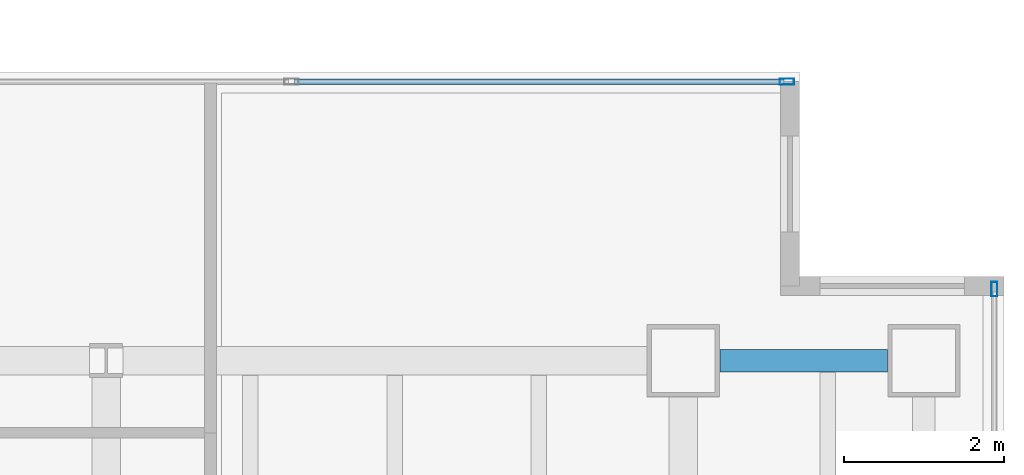
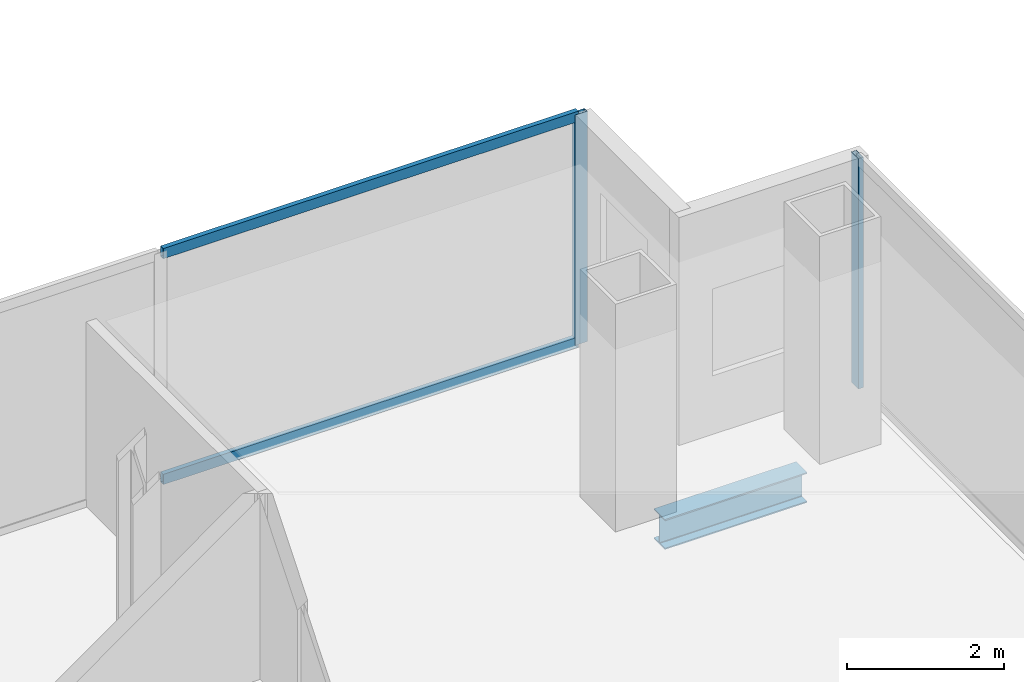
# One storey, part 15 of 23: 4 members, 1 beam, 2 elements without a shape of their own.
"""IFC4 building model written with IfcOpenShell, lengths in metres."""

from ifc_helpers import new_model, si_unit, direction, frame, origin, origin_2d, place, context, subcontext, project, spatial, hollow_rectangle, i_section, extrude, material, material_profile, profile_set, type_object, element, aggregate, save


model = new_model("IFC4")

# Units and contexts
model_context = context("Model", 3, precision=1e-05, world=origin(), true_north=direction((0.0, 1.0)))
body_context = subcontext(model_context, "Body", "Model", "MODEL_VIEW")
ifc_project = project(units=[si_unit("LENGTHUNIT", "METRE"), si_unit("AREAUNIT", "SQUARE_METRE"), si_unit("VOLUMEUNIT", "CUBIC_METRE"), si_unit("PLANEANGLEUNIT", "RADIAN"), si_unit("MASSUNIT", "GRAM", prefix="KILO")], contexts=[model_context])

# Site, building, storey
site_placement = place(None, origin())
site = spatial("IfcSite", under=ifc_project, at=site_placement, CompositionType="ELEMENT")
building_placement = place(site_placement, origin())
building = spatial("IfcBuilding", under=site, at=building_placement, Name="Cobrela Telecom Tower", CompositionType="ELEMENT")
storey_placement = place(building_placement, frame((0.0, 0.0, 129.14990234375)))
storey = spatial("IfcBuildingStorey", under=building, at=storey_placement, Name="L32", CompositionType="ELEMENT", Elevation=129.14990234375)

# Beam
ifc_material_1 = material(Name="Steel ASTM A992 Grade 50", Category="steel")
ifc_material_profile_1 = material_profile(ifc_material_1, i_section(OverallWidth=0.281982421875, OverallDepth=0.467041015625, WebThickness=0.01220703125, FlangeThickness=0.01953125, FilletRadius=0.012939453125, at=origin_2d()), Name="W18X86")
ifc_profile_set_1 = profile_set([ifc_material_profile_1], Name="Steel ASTM A992 Grade 50")
beam_type = type_object("IfcBeamType", Name="BM-SPAND-04", PredefinedType="SPANDREL", material=ifc_profile_set_1)
beam_placement = place(storey_placement, frame((43.655029296875, 21.60009765625, -0.50341796875), z_axis=(1.0, 0.0, 0.0), x_axis=(0.0, 1.0, 0.0)))
element("IfcBeam", 1, at=beam_placement, inside=storey, type_object=beam_type, Name="L32 Perimeter Spandrel X22", PredefinedType="SPANDREL", context=body_context, shape_type="SweptSolid", body=[
    extrude(i_section(OverallWidth=0.281982421875, OverallDepth=0.467041015625, WebThickness=0.01220703125, FlangeThickness=0.01953125, FilletRadius=0.012939453125, at=origin_2d()), origin(), (0.0, 0.0, 1.0), 2.090087890625),
])

# Curtain wall, member
ifc_material_2 = material(Name="Anodized Bronze Aluminium 6063-T6", Category="aluminium")
curtain_wall_type = type_object("IfcCurtainWallType", Name="CW-SYS-TEL", PredefinedType="USERDEFINED", material=ifc_material_2)
curtain_wall_1_placement = place(storey_placement, origin())
curtain_wall_1 = element("IfcCurtainWall", 2, at=curtain_wall_1_placement, inside=storey, type_object=curtain_wall_type, Name="L32 Unitised Bronze Curtain Wall 11", ObjectType="UNITISED CURTAIN WALL", PredefinedType="USERDEFINED")
ifc_material_profile_2 = material_profile(ifc_material_2, hollow_rectangle(XDim=0.074951171875, YDim=0.179931640625, WallThickness=0.00390625, at=origin_2d()), Name="ALU 75x180x4")
ifc_profile_set_2 = profile_set([ifc_material_profile_2], Name="Anodized Bronze Aluminium 6063-T6")
member_type_1 = type_object("IfcMemberType", Name="CW-SYS-TEL-MUL", PredefinedType="MULLION", material=ifc_profile_set_2)
member_1_placement = place(storey_placement, frame((44.492431640625, 25.080078125, 0.0), z_axis=(0.0, 0.0, 1.0), x_axis=(0.0, 1.0, 0.0)))
member_1 = element("IfcMember", 3, at=member_1_placement, type_object=member_type_1, Name="CW-TEL mullion 4", PredefinedType="MULLION", context=body_context, shape_type="SweptSolid", body=[
    extrude(hollow_rectangle(XDim=0.074951171875, YDim=0.179931640625, WallThickness=0.00390625, at=origin_2d()), origin(), (0.0, 0.0, 1.0), 3.580078125),
])

curtain_wall_2_placement = place(storey_placement, origin())
curtain_wall_2 = element("IfcCurtainWall", 4, at=curtain_wall_2_placement, inside=storey, type_object=curtain_wall_type, Name="L32 Unitised Bronze Curtain Wall 14", ObjectType="UNITISED CURTAIN WALL", PredefinedType="USERDEFINED")
member_2_placement = place(storey_placement, frame((47.080078125, 22.492431640625, 0.0), z_axis=(0.0, 0.0, 1.0), x_axis=(1.0, 0.0, 0.0)))
member_2 = element("IfcMember", 5, at=member_2_placement, type_object=member_type_1, Name="CW-TEL mullion 1", PredefinedType="MULLION", context=body_context, shape_type="SweptSolid", body=[
    extrude(hollow_rectangle(XDim=0.074951171875, YDim=0.179931640625, WallThickness=0.00390625, at=origin_2d()), origin(), (0.0, 0.0, 1.0), 3.580078125),
])
aggregate(curtain_wall_2, [member_2])

# Member
ifc_material_profile_3 = material_profile(ifc_material_2, hollow_rectangle(XDim=0.070068359375, YDim=0.159912109375, WallThickness=0.00390625, at=origin_2d()), Name="ALU 70x160x4")
ifc_profile_set_3 = profile_set([ifc_material_profile_3], Name="Anodized Bronze Aluminium 6063-T6")
member_type_2 = type_object("IfcMemberType", Name="CW-SYS-TEL-TRN", PredefinedType="USERDEFINED", material=ifc_profile_set_3)
member_3_placement = place(storey_placement, frame((38.350830078125, 25.080078125, 0.03515625), z_axis=(1.0, 0.0, 0.0), x_axis=(0.0, 1.0, 0.0)))
member_3 = element("IfcMember", 6, at=member_3_placement, type_object=member_type_2, Name="CW-TEL transom 3.1", ObjectType="TRANSOM", PredefinedType="USERDEFINED", context=body_context, shape_type="SweptSolid", body=[
    extrude(hollow_rectangle(XDim=0.070068359375, YDim=0.159912109375, WallThickness=0.00390625, at=origin_2d()), origin(), (0.0, 0.0, 1.0), 6.104248046875),
])

member_4_placement = place(storey_placement, frame((38.350830078125, 25.080078125, 3.545166015625), z_axis=(1.0, 0.0, 0.0), x_axis=(0.0, 1.0, 0.0)))
member_4 = element("IfcMember", 7, at=member_4_placement, type_object=member_type_2, Name="CW-TEL transom 3.2", ObjectType="TRANSOM", PredefinedType="USERDEFINED", context=body_context, shape_type="SweptSolid", body=[
    extrude(hollow_rectangle(XDim=0.070068359375, YDim=0.159912109375, WallThickness=0.00390625, at=origin_2d()), origin(), (0.0, 0.0, 1.0), 6.104248046875),
])

aggregate(curtain_wall_1, [member_1, member_3, member_4])

save(model, "model.ifc")
